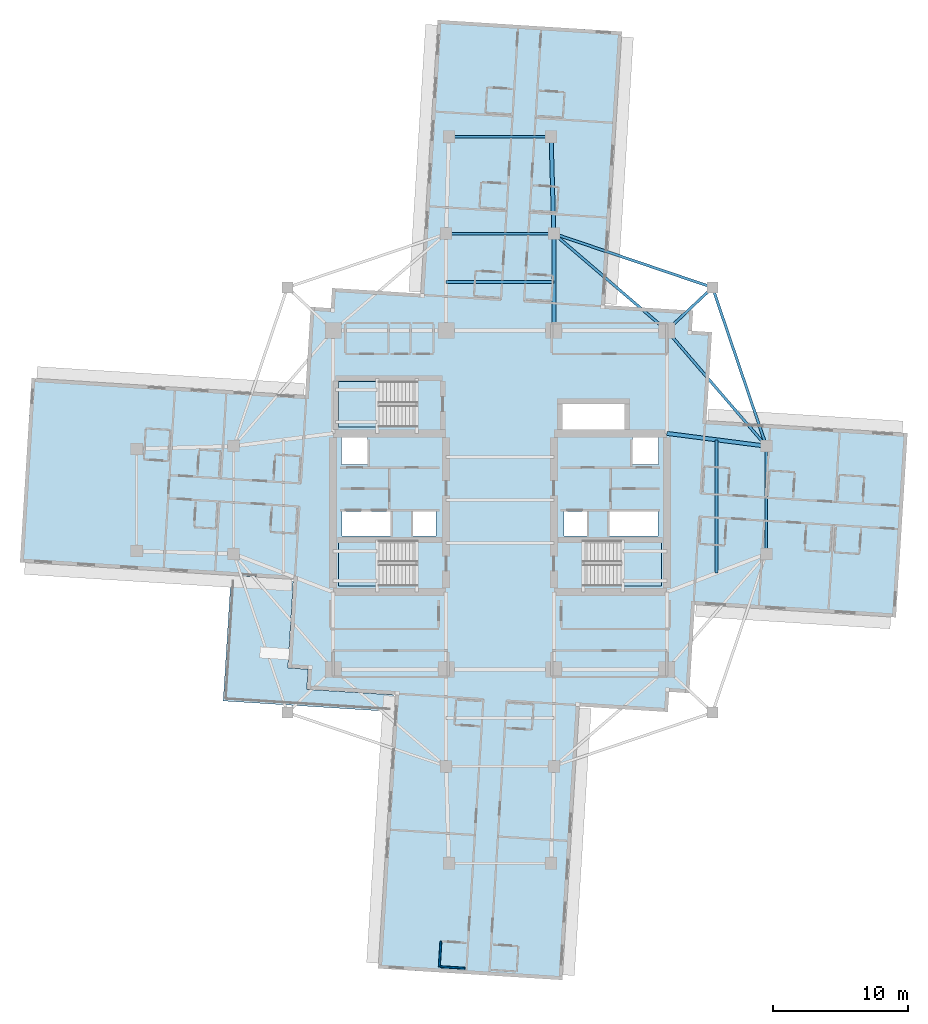
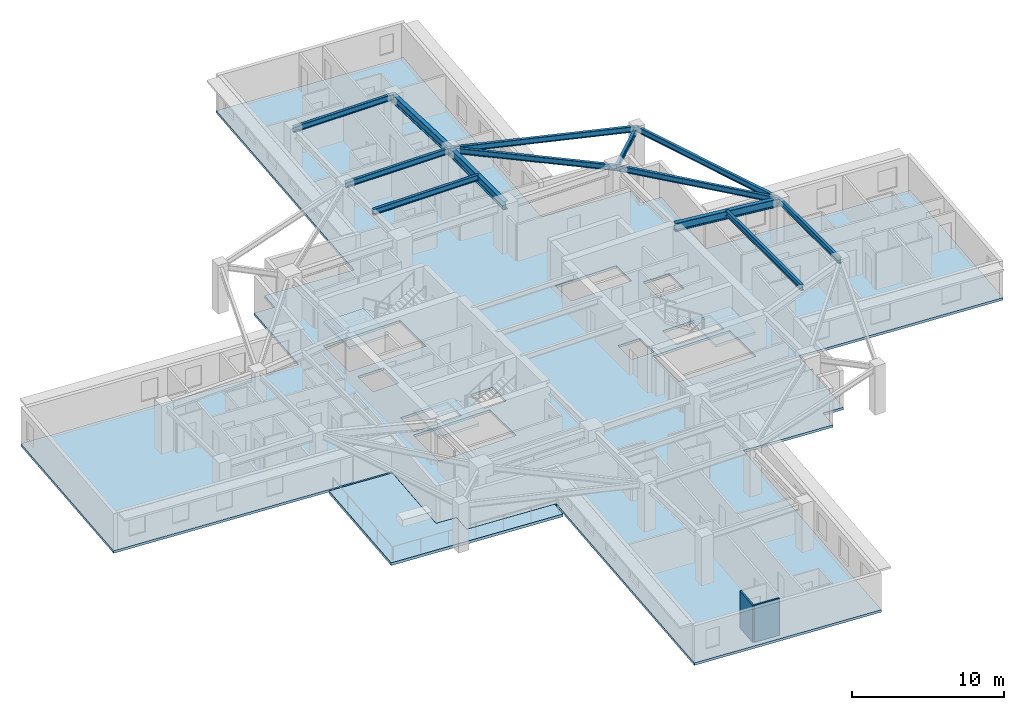
# One storey, part 2 of 14: 13 beams, 5 slabs, 2 walls, 3 elements without a shape of their own.
"""IFC4 building model written with IfcOpenShell, lengths in metres."""

from ifc_helpers import new_model, si_unit, direction, frame, frame_2d, origin, origin_2d, place, context, subcontext, project, spatial, polyline, rectangle, i_section, outline, extrude, material, layer, layer_set, material_profile, profile_set, type_object, element, aggregate, save


model = new_model("IFC4")

# Units and contexts
model_context = context("Model", 3, precision=1e-05, world=origin(), true_north=direction((0.0, 1.0)))
body_context = subcontext(model_context, "Body", "Model", "MODEL_VIEW")
ifc_project = project(units=[si_unit("LENGTHUNIT", "METRE"), si_unit("AREAUNIT", "SQUARE_METRE"), si_unit("VOLUMEUNIT", "CUBIC_METRE"), si_unit("PLANEANGLEUNIT", "RADIAN"), si_unit("MASSUNIT", "GRAM", prefix="KILO")], contexts=[model_context])

# Site, building, storey
site_placement = place(None, origin())
site = spatial("IfcSite", under=ifc_project, at=site_placement, CompositionType="ELEMENT")
building_placement = place(site_placement, origin())
building = spatial("IfcBuilding", under=site, at=building_placement, Name="Qingluan Cross Belvedere", CompositionType="ELEMENT")
storey_placement = place(building_placement, frame((0.0, 0.0, 160.5)))
storey = spatial("IfcBuildingStorey", under=building, at=storey_placement, Name="L40", CompositionType="ELEMENT", Elevation=160.5)

# Beams
ifc_material_1 = material(Name="Steel Q420GJB", Category="steel")
ifc_material_profile_1 = material_profile(ifc_material_1, i_section(OverallWidth=0.199951171875, OverallDepth=0.449951171875, WebThickness=0.009033203125, FlangeThickness=0.013916015625, FilletRadius=0.01611328125, at=origin_2d()), Name="HN450x200x9x14")
ifc_profile_set_1 = profile_set([ifc_material_profile_1], Name="Steel Q420GJB")
beam_type_1 = type_object("IfcBeamType", Name="Steel_Beam_HN450x200x9x14", PredefinedType="JOIST", material=ifc_profile_set_1)
beam_1_placement = place(storey_placement, frame((12.39990234375, 12.60009765625, 3.47509765625), z_axis=(0.728219948308, 0.685343495546, 0.0), x_axis=(-0.685343495546, 0.728219948308, 0.0)))
element("IfcBeam", 1, at=beam_1_placement, inside=storey, type_object=beam_type_1, Name="Corner beam 1 L40-RNE", PredefinedType="JOIST", context=body_context, shape_type="SweptSolid", body=[
    extrude(i_section(OverallWidth=0.199951171875, OverallDepth=0.449951171875, WebThickness=0.009033203125, FlangeThickness=0.013916015625, FilletRadius=0.01611328125, at=origin_2d()), origin(), (0.0, 0.0, 1.0), 4.669189453125),
])
for number, where, z_axis, x_axis, name in (
    (2, (15.800048828125, 15.800048828125, 3.47509765625), (-0.947066283324, 0.321038089628, 0.0), (-0.321038089628, -0.947066283324, 0.0), "Corner beam 2 L40-RNE"),
    (3, (15.800048828125, 15.800048828125, 3.47509765625), (0.321038089628, -0.947066283324, 0.0), (0.947066283324, 0.321038089628, 0.0), "Corner beam 3 L40-RNE"),
):
    element("IfcBeam", number, at=place(storey_placement, frame(where, z_axis=z_axis, x_axis=x_axis)), inside=storey, type_object=beam_type_1, Name=name, PredefinedType="JOIST", context=body_context, shape_type="SweptSolid", body=[
        extrude(i_section(OverallWidth=0.199951171875, OverallDepth=0.449951171875, WebThickness=0.009033203125, FlangeThickness=0.013916015625, FilletRadius=0.01611328125, at=origin_2d()), origin(), (0.0, 0.0, 1.0), 12.45947265625),
    ])
beam_2_placement = place(storey_placement, frame((12.39990234375, 12.60009765625, 3.47509765625), z_axis=(0.652245077546, -0.75800815221, 0.0), x_axis=(0.75800815221, 0.652245077546, 0.0)))
element("IfcBeam", 4, at=beam_2_placement, inside=storey, type_object=beam_type_1, Name="Corner beam 4 L40-RNE", PredefinedType="JOIST", context=body_context, shape_type="SweptSolid", body=[
    extrude(i_section(OverallWidth=0.199951171875, OverallDepth=0.449951171875, WebThickness=0.009033203125, FlangeThickness=0.013916015625, FilletRadius=0.01611328125, at=origin_2d()), origin(), (0.0, 0.0, 1.0), 11.345703125),
])
beam_3_placement = place(storey_placement, frame((12.39990234375, 12.60009765625, 3.47509765625), z_axis=(-0.759255044656, 0.650793190779, 0.0), x_axis=(-0.650793190779, -0.759255044656, 0.0)))
element("IfcBeam", 5, at=beam_3_placement, inside=storey, type_object=beam_type_1, Name="Corner beam 5 L40-RNE", PredefinedType="JOIST", context=body_context, shape_type="SweptSolid", body=[
    extrude(i_section(OverallWidth=0.199951171875, OverallDepth=0.449951171875, WebThickness=0.009033203125, FlangeThickness=0.013916015625, FilletRadius=0.01611328125, at=origin_2d()), origin(), (0.0, 0.0, 1.0), 11.063232421875),
])
beam_4_placement = place(storey_placement, frame((19.800048828125, -4.0, 3.47509765625), z_axis=(0.0, 1.0, 0.0), x_axis=(-1.0, 0.0, 0.0)))
element("IfcBeam", 6, at=beam_4_placement, inside=storey, type_object=beam_type_1, Name="Arm E tie L40", PredefinedType="JOIST", context=body_context, shape_type="SweptSolid", body=[
    extrude(i_section(OverallWidth=0.199951171875, OverallDepth=0.449951171875, WebThickness=0.009033203125, FlangeThickness=0.013916015625, FilletRadius=0.01611328125, at=origin_2d()), origin(), (0.0, 0.0, 1.0), 8.0),
])
beam_5_placement = place(storey_placement, frame((16.10009765625, -5.425048828125, 3.47509765625), z_axis=(0.0, 1.0, 0.0), x_axis=(-1.0, 0.0, 0.0)))
element("IfcBeam", 7, at=beam_5_placement, inside=storey, type_object=beam_type_1, Name="Arm E beam L40", PredefinedType="JOIST", context=body_context, shape_type="SweptSolid", body=[
    extrude(i_section(OverallWidth=0.199951171875, OverallDepth=0.449951171875, WebThickness=0.009033203125, FlangeThickness=0.013916015625, FilletRadius=0.01611328125, at=origin_2d()), origin(), (0.0, 0.0, 1.0), 9.900146484375),
])
for number, where, z_axis, x_axis, name in (
    (8, (-4.0, 19.800048828125, 3.47509765625), (1.0, 0.0, 0.0), (0.0, 1.0, 0.0), "Arm N tie L40"),
    (9, (-4.0, 16.199951171875, 3.47509765625), (1.0, 0.0, 0.0), (0.0, 1.0, 0.0), "Arm N beam L40"),
):
    element("IfcBeam", number, at=place(storey_placement, frame(where, z_axis=z_axis, x_axis=x_axis)), inside=storey, type_object=beam_type_1, Name=name, PredefinedType="JOIST", context=body_context, shape_type="SweptSolid", body=[
        extrude(i_section(OverallWidth=0.199951171875, OverallDepth=0.449951171875, WebThickness=0.009033203125, FlangeThickness=0.013916015625, FilletRadius=0.01611328125, at=origin_2d()), origin(), (0.0, 0.0, 1.0), 8.0),
    ])
beam_6_placement = place(storey_placement, frame((-3.800048828125, 27.0, 3.47509765625), z_axis=(1.0, 0.0, 0.0), x_axis=(0.0, 1.0, 0.0)))
element("IfcBeam", 10, at=beam_6_placement, inside=storey, type_object=beam_type_1, Name="Arm N tip transverse beam L40", PredefinedType="JOIST", context=body_context, shape_type="SweptSolid", body=[
    extrude(i_section(OverallWidth=0.199951171875, OverallDepth=0.449951171875, WebThickness=0.009033203125, FlangeThickness=0.013916015625, FilletRadius=0.01611328125, at=origin_2d()), origin(), (0.0, 0.0, 1.0), 7.60009765625),
])
ifc_material_2 = material(Name="Steel Q420GJB", Category="steel")
ifc_material_profile_2 = material_profile(ifc_material_2, i_section(OverallWidth=0.300048828125, OverallDepth=0.64990234375, WebThickness=0.014404296875, FlangeThickness=0.02587890625, FilletRadius=0.027099609375, at=origin_2d()), Name="HEB650")
ifc_profile_set_2 = profile_set([ifc_material_profile_2], Name="Steel Q420GJB")
beam_type_2 = type_object("IfcBeamType", Name="Steel_Girder_HEB650", PredefinedType="USERDEFINED", material=ifc_profile_set_2)
beam_7_placement = place(storey_placement, frame((12.39990234375, 4.949951171875, 3.375), z_axis=(0.991861120628, -0.12732445714, 0.0), x_axis=(0.12732445714, 0.991861120628, 0.0)))
element("IfcBeam", 11, at=beam_7_placement, inside=storey, type_object=beam_type_2, Name="Arm E radial girder B L40", ObjectType="GIRDER", PredefinedType="USERDEFINED", context=body_context, shape_type="SweptSolid", body=[
    extrude(i_section(OverallWidth=0.300048828125, OverallDepth=0.64990234375, WebThickness=0.014404296875, FlangeThickness=0.02587890625, FilletRadius=0.027099609375, at=origin_2d()), origin(), (0.0, 0.0, 1.0), 7.4609375),
])
beam_8_placement = place(storey_placement, frame((4.0, 12.60009765625, 3.375), z_axis=(0.0, 1.0, 0.0), x_axis=(-1.0, 0.0, 0.0)))
element("IfcBeam", 12, at=beam_8_placement, inside=storey, type_object=beam_type_2, Name="Arm N radial girder B L40", ObjectType="GIRDER", PredefinedType="USERDEFINED", context=body_context, shape_type="SweptSolid", body=[
    extrude(i_section(OverallWidth=0.300048828125, OverallDepth=0.64990234375, WebThickness=0.014404296875, FlangeThickness=0.02587890625, FilletRadius=0.027099609375, at=origin_2d()), origin(), (0.0, 0.0, 1.0), 7.199951171875),
])
beam_9_placement = place(storey_placement, frame((4.0, 19.800048828125, 3.375), z_axis=(-0.027760481514, 0.999614603568, 0.0), x_axis=(-0.999614603568, -0.027760481514, 0.0)))
element("IfcBeam", 13, at=beam_9_placement, inside=storey, type_object=beam_type_2, Name="Arm N outer radial girder B L40", ObjectType="GIRDER", PredefinedType="USERDEFINED", context=body_context, shape_type="SweptSolid", body=[
    extrude(i_section(OverallWidth=0.300048828125, OverallDepth=0.64990234375, WebThickness=0.014404296875, FlangeThickness=0.02587890625, FilletRadius=0.027099609375, at=origin_2d()), origin(), (0.0, 0.0, 1.0), 7.20263671875),
])

# Slab
ifc_material_3 = material(Name="Concrete C40", Category="concrete")
ifc_layer_1 = layer(ifc_material_3, 0.199951171875, Name="FloorSlab_200")
ifc_layer_set_1 = layer_set([ifc_layer_1], Name="Concrete C40")
slab_type_1 = type_object("IfcSlabType", Name="FloorSlab_200", PredefinedType="FLOOR", material=ifc_layer_set_1)
slab_1_placement = place(storey_placement, frame((0.0, 0.0, -0.199951171875)))
element("IfcSlab", 14, at=slab_1_placement, inside=storey, type_object=slab_type_1, Name="Structural floor slab L40", PredefinedType="FLOOR", context=body_context, shape_type="SweptSolid", body=[
    extrude(outline(polyline([(4.628662109375, -35.680908203125), (5.908447265625, -15.34130859375), (12.475341796875, -15.75439453125), (12.569580078125, -14.25732421875), (14.066650390625, -14.3515625), (14.479736328125, -7.78466796875), (29.43017578125, -8.72509765625), (30.291748046875, 4.9677734375), (15.34130859375, 5.908447265625), (15.75439453125, 12.475341796875), (14.25732421875, 12.569580078125), (14.3515625, 14.066650390625), (7.78466796875, 14.479736328125), (9.064208984375, 34.819580078125), (-4.628662109375, 35.680908203125), (-5.908447265625, 15.34130859375), (-12.475341796875, 15.75439453125), (-12.569580078125, 14.25732421875), (-14.066650390625, 14.3515625), (-14.479736328125, 7.78466796875), (-34.819580078125, 9.064208984375), (-35.680908203125, -4.628662109375), (-15.34130859375, -5.908447265625), (-15.75439453125, -12.475341796875), (-14.25732421875, -12.569580078125), (-14.3515625, -14.066650390625), (-7.78466796875, -14.479736328125), (-9.064208984375, -34.819580078125), (4.628662109375, -35.680908203125)]), holes=[polyline([(-12.0, -3.0), (-6.179931640625, -3.0), (-6.179931640625, -6.39990234375), (-12.0, -6.39990234375), (-12.0, -3.0)]), polyline([(6.179931640625, -3.0), (12.0, -3.0), (12.0, -6.39990234375), (6.179931640625, -6.39990234375), (6.179931640625, -3.0)]), polyline([(-12.0, 8.820068359375), (-6.179931640625, 8.820068359375), (-6.179931640625, 5.419921875), (-12.0, 5.419921875), (-12.0, 8.820068359375)]), polyline([(-11.800048828125, 4.64990234375), (-9.85009765625, 4.64990234375), (-9.85009765625, 2.64990234375), (-11.800048828125, 2.64990234375), (-11.800048828125, 4.64990234375)]), polyline([(9.85009765625, 4.64990234375), (11.800048828125, 4.64990234375), (11.800048828125, 2.64990234375), (9.85009765625, 2.64990234375), (9.85009765625, 4.64990234375)]), polyline([(-11.75, -0.840087890625), (-8.14990234375, -0.840087890625), (-8.14990234375, -2.659912109375), (-11.75, -2.659912109375), (-11.75, -0.840087890625)]), polyline([(-6.449951171875, -0.840087890625), (-4.75, -0.840087890625), (-4.75, -2.659912109375), (-6.449951171875, -2.659912109375), (-6.449951171875, -0.840087890625)]), polyline([(4.75, -0.840087890625), (6.449951171875, -0.840087890625), (6.449951171875, -2.659912109375), (4.75, -2.659912109375), (4.75, -0.840087890625)]), polyline([(8.14990234375, -0.840087890625), (11.75, -0.840087890625), (11.75, -2.659912109375), (8.14990234375, -2.659912109375), (8.14990234375, -0.840087890625)]), polyline([(4.64990234375, 7.14990234375), (9.25, 7.14990234375), (9.25, 5.14990234375), (4.64990234375, 5.14990234375), (4.64990234375, 7.14990234375)])]), origin(), (0.0, 0.0, 1.0), 0.199951171875),
])

# Stair, slab
ifc_material_4 = material(Name="Concrete C40", Category="concrete")
stair_type = type_object("IfcStairType", Name="CoreDoglegStair_1620", PredefinedType="HALF_TURN_STAIR", material=ifc_material_4)
stair_1_placement = place(storey_placement, origin())
stair_1 = element("IfcStair", 15, at=stair_1_placement, inside=storey, type_object=stair_type, Name="L40 ST1", PredefinedType="HALF_TURN_STAIR")
ifc_material_5 = material(Name="Concrete C40", Category="concrete")
ifc_layer_2 = layer(ifc_material_5, 0.179931640625, Name="StairLandingSlab_180")
ifc_layer_set_2 = layer_set([ifc_layer_2], Name="Concrete C40")
slab_type_2 = type_object("IfcSlabType", Name="StairLandingSlab_180", PredefinedType="LANDING", material=ifc_layer_set_2)
slab_2_placement = place(storey_placement, frame((0.0, 0.0, 1.75)))
slab_2 = element("IfcSlab", 16, at=slab_2_placement, type_object=slab_type_2, Name="ST1 landing 1", PredefinedType="LANDING", context=body_context, shape_type="SweptSolid", body=[
    extrude(outline(polyline([(-8.97998046875, -3.0), (-12.0, -3.0), (-12.0, -6.39990234375), (-8.97998046875, -6.39990234375), (-8.97998046875, -3.0)])), origin(), (0.0, 0.0, 1.0), 0.199951171875),
])
aggregate(stair_1, [slab_2])

stair_2_placement = place(storey_placement, origin())
stair_2 = element("IfcStair", 17, at=stair_2_placement, inside=storey, type_object=stair_type, Name="L40 ST2", PredefinedType="HALF_TURN_STAIR")
slab_3_placement = place(storey_placement, frame((0.0, 0.0, 1.75)))
slab_3 = element("IfcSlab", 18, at=slab_3_placement, type_object=slab_type_2, Name="ST2 landing 1", PredefinedType="LANDING", context=body_context, shape_type="SweptSolid", body=[
    extrude(outline(polyline([(8.97998046875, -6.39990234375), (12.0, -6.39990234375), (12.0, -3.0), (8.97998046875, -3.0), (8.97998046875, -6.39990234375)])), origin(), (0.0, 0.0, 1.0), 0.199951171875),
])
aggregate(stair_2, [slab_3])

stair_3_placement = place(storey_placement, origin())
stair_3 = element("IfcStair", 19, at=stair_3_placement, inside=storey, type_object=stair_type, Name="L40 ST3", PredefinedType="HALF_TURN_STAIR")
slab_4_placement = place(storey_placement, frame((0.0, 0.0, 1.75)))
slab_4 = element("IfcSlab", 20, at=slab_4_placement, type_object=slab_type_2, Name="ST3 landing 1", PredefinedType="LANDING", context=body_context, shape_type="SweptSolid", body=[
    extrude(outline(polyline([(-8.97998046875, 8.820068359375), (-12.0, 8.820068359375), (-12.0, 5.419921875), (-8.97998046875, 5.419921875), (-8.97998046875, 8.820068359375)])), origin(), (0.0, 0.0, 1.0), 0.199951171875),
])
aggregate(stair_3, [slab_4])

# Slab
ifc_material_6 = material(Name="Concrete C40", Category="concrete")
ifc_layer_3 = layer(ifc_material_6, 0.219970703125, Name="TerraceSlab_220")
ifc_layer_set_3 = layer_set([ifc_layer_3], Name="Concrete C40")
slab_type_3 = type_object("IfcSlabType", Name="TerraceSlab_220", PredefinedType="FLOOR", material=ifc_layer_set_3)
slab_5_placement = place(storey_placement, frame((0.0, 0.0, -0.219970703125)))
element("IfcSlab", 21, at=slab_5_placement, inside=storey, type_object=slab_type_3, Name="Spiralling winter-garden terrace slab L40", PredefinedType="FLOOR", context=body_context, shape_type="SweptSolid", body=[
    extrude(outline(polyline([(-7.9248046875, -14.48095703125), (-14.357666015625, -14.07470703125), (-14.26806640625, -12.578857421875), (-15.755126953125, -12.4853515625), (-15.764404296875, -12.476806640625), (-15.360107421875, -6.047607421875), (-20.0009765625, -5.755615234375), (-20.57861328125, -14.937255859375), (-8.00341796875, -15.728515625), (-7.9248046875, -14.48095703125)])), origin(), (0.0, 0.0, 1.0), 0.219970703125),
])

# Walls
ifc_material_7 = material(Name="Moisture-resistant gypsum board lining")
ifc_layer_4 = layer(ifc_material_7, 0.1201171875, Name="EnsuiteWetPartition_120")
ifc_layer_set_4 = layer_set([ifc_layer_4], Name="Moisture-resistant gypsum board lining")
wall_type = type_object("IfcWallType", Name="EnsuiteWetPartition_120", PredefinedType="PARTITIONING", material=ifc_layer_set_4)
wall_1_placement = place(storey_placement, frame((-4.447021484375, -34.689208984375, 0.0), z_axis=(0.0, 0.0, 1.0), x_axis=(0.998027443946, -0.062779145668, 0.0)))
element("IfcWall", 22, at=wall_1_placement, inside=storey, type_object=wall_type, Name="Partition L40:S:bw1_1", PredefinedType="PARTITIONING", context=body_context, shape_type="SweptSolid", body=[
    extrude(rectangle(XDim=1.820068359375, YDim=0.1201171875, at=frame_2d((0.91015625, 0.0))), origin(), (0.0, 0.0, 1.0), 2.9599609375),
])
wall_2_placement = place(storey_placement, frame((-4.393798828125, -32.808837890625, 0.0), z_axis=(0.0, 0.0, 1.0), x_axis=(-0.062725942896, -0.998030789148, 0.0)))
element("IfcWall", 23, at=wall_2_placement, inside=storey, type_object=wall_type, Name="Partition L40:S:bc1_1", PredefinedType="PARTITIONING", context=body_context, shape_type="SweptSolid", body=[
    extrude(rectangle(XDim=1.8798828125, YDim=0.1201171875, at=frame_2d((0.93994140625, 0.0))), origin(), (0.0, 0.0, 1.0), 2.9599609375),
])

save(model, "model.ifc")
